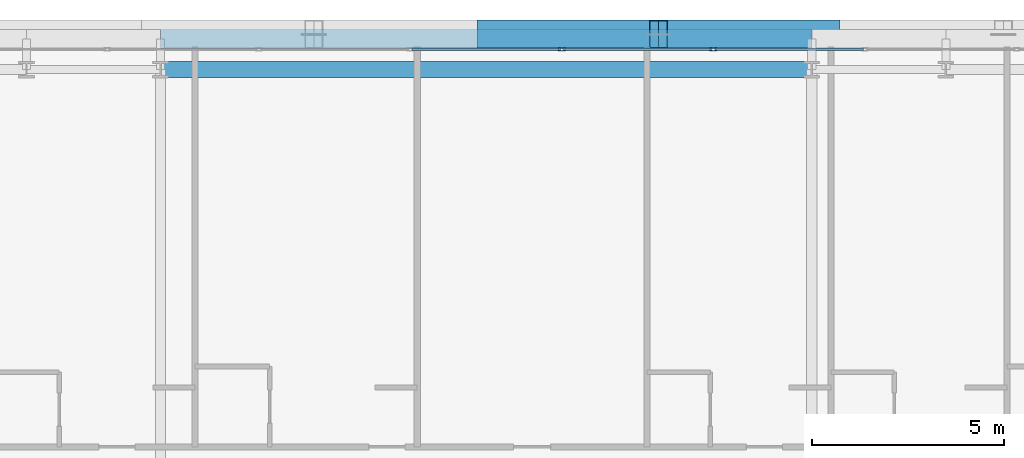
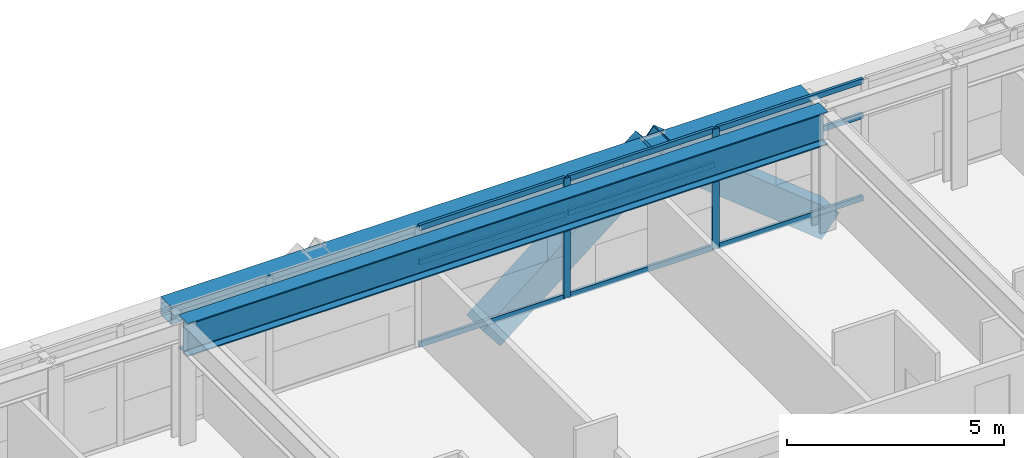
# One storey, part 19 of 36: 13 members, 2 beams, 1 element without a shape of its own.
"""IFC4 building model written with IfcOpenShell, lengths in metres."""

import ifcopenshell
import ifcopenshell.guid

model = None  # the IFC model being written
_history = None  # IfcOwnerHistory: only IFC2X3 demands one
_inside = {}  # id of a spatial element -> (the spatial element, [elements in it])
_under = {}  # id of a project, library or spatial element -> (it, [spatial elements below it])
_declared = {}  # id of a project -> (the project, [libraries it declares])
_typed = {}  # id of a type object -> (the type object, [elements of that type])
_made_of = {}  # id of a material, layer set ... -> (it, [elements and type objects made of it])


def new_model(schema):
    """Start an empty IFC model of exactly this schema.

    Asked for "IFC4X3", IfcOpenShell would pick the latest addendum, in which some entities
    have other attributes; the version numbers below select the first issue.
    IFC2X3 requires an IfcOwnerHistory on every rooted entity: one is made here for all.
    """
    global model, _history
    if schema == "IFC4X3":
        model = ifcopenshell.file(schema_version=(4, 3, 0, 0))
    else:
        model = ifcopenshell.file(schema=schema)
    _inside.clear()
    _under.clear()
    _declared.clear()
    _typed.clear()
    _made_of.clear()
    _history = None
    if model.schema == "IFC2X3":
        org = make("IfcOrganization", Name="unknown")
        user = make(
            "IfcPersonAndOrganization",
            ThePerson=make("IfcPerson", FamilyName="unknown"),
            TheOrganization=org,
        )
        app = make(
            "IfcApplication",
            ApplicationDeveloper=org,
            Version="unknown",
            ApplicationFullName="unknown",
            ApplicationIdentifier="unknown",
        )
        _history = make(
            "IfcOwnerHistory",
            OwningUser=user,
            OwningApplication=app,
            ChangeAction="ADDED",
            CreationDate=0,
        )
    return model


def make(cls, **values):
    """One entity of the class cls with the attributes given. An attribute that is None is left unset."""
    return model.create_entity(
        cls, **{name: value for name, value in values.items() if value is not None}
    )


def rooted(cls, **values):
    """An entity with a GlobalId (a new one), such as an element, a storey or a relation."""
    return make(cls, GlobalId=ifcopenshell.guid.new(), OwnerHistory=_history, **values)


def si_unit(unit_type, name, prefix=None):
    """IfcSIUnit, for example si_unit("LENGTHUNIT", "METRE", prefix="MILLI")."""
    return make("IfcSIUnit", UnitType=unit_type, Prefix=prefix, Name=name)


def assignment(units):
    """IfcUnitAssignment: the units of a project."""
    return None if units is None else make("IfcUnitAssignment", Units=units)


def point(xyz):
    """IfcCartesianPoint."""
    return None if xyz is None else make("IfcCartesianPoint", Coordinates=xyz)


def direction(xyz):
    """IfcDirection."""
    return None if xyz is None else make("IfcDirection", DirectionRatios=xyz)


def frame(location, z_axis=None, x_axis=None):
    """IfcAxis2Placement3D, a coordinate frame: its origin and axes. An axis left out is left unset."""
    return make(
        "IfcAxis2Placement3D",
        Location=point(location),
        Axis=direction(z_axis),
        RefDirection=direction(x_axis),
    )


def frame_2d(location, x_axis=None):
    """IfcAxis2Placement2D, a coordinate frame in the plane: its origin and x axis."""
    return make(
        "IfcAxis2Placement2D", Location=point(location), RefDirection=direction(x_axis)
    )


def origin():
    """The frame at (0, 0, 0) with its axes left unset."""
    return frame((0.0, 0.0, 0.0))


def origin_2d():
    """The frame at (0, 0) in the plane with its x axis left unset."""
    return frame_2d((0.0, 0.0))


def place(relative_to, where):
    """IfcLocalPlacement: puts the frame where relative to a parent placement (None: the world)."""
    return make(
        "IfcLocalPlacement", PlacementRelTo=relative_to, RelativePlacement=where
    )


def context(
    kind, dimensions, precision=None, world=None, true_north=None, identifier=None
):
    """IfcGeometricRepresentationContext, for example the 3D "Model" context."""
    return make(
        "IfcGeometricRepresentationContext",
        ContextIdentifier=identifier,
        ContextType=kind,
        CoordinateSpaceDimension=dimensions,
        Precision=precision,
        WorldCoordinateSystem=world,
        TrueNorth=true_north,
    )


def subcontext(parent, identifier, kind, view, scale=None):
    """IfcGeometricRepresentationSubContext, for example "Body" below "Model"."""
    return make(
        "IfcGeometricRepresentationSubContext",
        ContextIdentifier=identifier,
        ContextType=kind,
        ParentContext=parent,
        TargetScale=scale,
        TargetView=view,
    )


def project(units=None, contexts=None):
    """IfcProject with its units and contexts."""
    return rooted(
        "IfcProject",
        Name="project",
        RepresentationContexts=contexts,
        UnitsInContext=assignment(units),
    )


def spatial(cls, under=None, at=None, **own):
    """A site, building, storey or space (cls), placed at a placement, below another one or the project."""
    s = rooted(cls, ObjectPlacement=at, **own)
    if under is not None:
        _under.setdefault(under.id(), (under, []))[1].append(s)
    return s


def profile(cls, at=None, kind="AREA", **sizes):
    """A parametric profile (cls). Its sizes go by their IFC names, for example OverallWidth=200.0."""
    return make(cls, ProfileType=kind, Position=at, **sizes)


def hollow_rectangle(**sizes):
    """IfcRectangleHollowProfileDef."""
    return profile("IfcRectangleHollowProfileDef", **sizes)


def i_section(**sizes):
    """IfcIShapeProfileDef."""
    return profile("IfcIShapeProfileDef", **sizes)


def extrude(swept, where, along, depth):
    """IfcExtrudedAreaSolid: the profile swept, set in the frame where, extruded along a direction by depth."""
    return make(
        "IfcExtrudedAreaSolid",
        SweptArea=swept,
        Position=where,
        ExtrudedDirection=direction(along),
        Depth=depth,
    )


def shape(context_of_items, identifier, shape_type, items):
    """IfcShapeRepresentation: the items that make up one representation, for example the "Body"."""
    return make(
        "IfcShapeRepresentation",
        ContextOfItems=context_of_items,
        RepresentationIdentifier=identifier,
        RepresentationType=shape_type,
        Items=items,
    )


def source(mapping_origin, context_of_items, identifier, shape_type, items):
    """IfcRepresentationMap: a shape defined once, which mapped items show again and again."""
    return make(
        "IfcRepresentationMap",
        MappingOrigin=mapping_origin,
        MappedRepresentation=shape(context_of_items, identifier, shape_type, items),
    )


def transform(
    local_origin,
    x_axis=None,
    y_axis=None,
    z_axis=None,
    scale=None,
    scale2=None,
    scale3=None,
    uniform=True,
):
    """IfcCartesianTransformationOperator3D, or its non-uniform kind. x_axis, y_axis, z_axis: its Axis1, 2, 3."""
    if uniform:
        return make(
            "IfcCartesianTransformationOperator3D",
            Axis1=direction(x_axis),
            Axis2=direction(y_axis),
            LocalOrigin=point(local_origin),
            Scale=scale,
            Axis3=direction(z_axis),
        )
    return make(
        "IfcCartesianTransformationOperator3DnonUniform",
        Axis1=direction(x_axis),
        Axis2=direction(y_axis),
        LocalOrigin=point(local_origin),
        Scale=scale,
        Axis3=direction(z_axis),
        Scale2=scale2,
        Scale3=scale3,
    )


def mapped(mapping_source, mapping_target):
    """IfcMappedItem: shows the shape of a source again, moved by a transform."""
    return make(
        "IfcMappedItem", MappingSource=mapping_source, MappingTarget=mapping_target
    )


def material(Name=None, Category=None):
    """IfcMaterial."""
    return make("IfcMaterial", Name=Name, Category=Category)


def layer(
    of_material, thickness, ventilated=None, Name=None, Category=None, Priority=None
):
    """IfcMaterialLayer: one layer of a wall or slab, of a material (None: an air gap)."""
    return make(
        "IfcMaterialLayer",
        Material=of_material,
        LayerThickness=thickness,
        IsVentilated=ventilated,
        Name=Name,
        Category=Category,
        Priority=Priority,
    )


def layer_set(layers, Name=None):
    """IfcMaterialLayerSet."""
    return make("IfcMaterialLayerSet", MaterialLayers=layers, LayerSetName=Name)


def material_profile(
    of_material, cross_section, Name=None, Category=None, Priority=None
):
    """IfcMaterialProfile: a cross section and its material."""
    return make(
        "IfcMaterialProfile",
        Name=Name,
        Material=of_material,
        Profile=cross_section,
        Priority=Priority,
        Category=Category,
    )


def profile_set(profiles, Name=None, composite=None):
    """IfcMaterialProfileSet."""
    return make(
        "IfcMaterialProfileSet",
        Name=Name,
        MaterialProfiles=profiles,
        CompositeProfile=composite,
    )


def made_of(thing, what):
    """Note that an element or type object is made of a material, layer set ...; save() writes the relation."""
    if what is not None:
        _made_of.setdefault(what.id(), (what, []))[1].append(thing)
    return thing


def type_object(cls, material=None, **own):
    """A type object (cls), such as IfcWallType, which elements share."""
    return made_of(rooted(cls, **own), material)


def element(
    cls,
    number,
    at=None,
    inside=None,
    cuts=None,
    type_object=None,
    material=None,
    context=None,
    identifier="Body",
    shape_type=None,
    held_by="IfcProductDefinitionShape",
    body=None,
    shapes=None,
    **own,
):
    """One element of the class cls, such as IfcWall. Its Tag is "e" and its number.

    at: its placement. inside: the storey or other place that contains it. cuts: it is an
    opening in that element (IfcRelVoidsElement). A single representation is given by context,
    identifier, shape_type and body (its items); several are given by shapes. held_by: the class
    of the entity that holds the representations. save() writes the other relations.
    """
    e = rooted(cls, Tag="e%d" % number, ObjectPlacement=at, **own)
    if body is not None:
        shapes = [shape(context, identifier, shape_type, body)]
    if shapes is not None:
        e.Representation = make(held_by, Representations=shapes)
    if inside is not None:
        _inside.setdefault(inside.id(), (inside, []))[1].append(e)
    if cuts is not None:
        rooted(
            "IfcRelVoidsElement", RelatingBuildingElement=cuts, RelatedOpeningElement=e
        )
    if type_object is not None:
        _typed.setdefault(type_object.id(), (type_object, []))[1].append(e)
    return made_of(e, material)


def aggregate(whole, parts):
    """IfcRelAggregates: a whole, such as a stair, and the parts it consists of."""
    return rooted("IfcRelAggregates", RelatingObject=whole, RelatedObjects=parts)


def save(model, path):
    """Write the relations noted so far, then the file.

    IfcRelAggregates (storeys below a building ...), IfcRelContainedInSpatialStructure (elements
    in a storey), IfcRelDefinesByType, IfcRelAssociatesMaterial and IfcRelDeclares: one each for
    every whole, place, type object, material and project.
    """
    for whole, parts in _under.values():
        aggregate(whole, parts)
    for where, things in _inside.values():
        rooted(
            "IfcRelContainedInSpatialStructure",
            RelatedElements=things,
            RelatingStructure=where,
        )
    for kind, things in _typed.values():
        rooted("IfcRelDefinesByType", RelatedObjects=things, RelatingType=kind)
    for what, things in _made_of.values():
        rooted("IfcRelAssociatesMaterial", RelatedObjects=things, RelatingMaterial=what)
    for by, libraries in _declared.values():
        rooted("IfcRelDeclares", RelatingContext=by, RelatedDefinitions=libraries)
    model.write(path)


model = new_model("IFC4")

# Units and contexts
model_context = context("Model", 3, precision=1e-05, world=origin(), true_north=direction((0.0, 1.0)))
body_context = subcontext(model_context, "Body", "Model", "MODEL_VIEW")
ifc_project = project(units=[si_unit("LENGTHUNIT", "METRE"), si_unit("AREAUNIT", "SQUARE_METRE"), si_unit("VOLUMEUNIT", "CUBIC_METRE"), si_unit("PLANEANGLEUNIT", "RADIAN"), si_unit("MASSUNIT", "GRAM", prefix="KILO")], contexts=[model_context])

# Site, building, storey
site_placement = place(None, origin())
site = spatial("IfcSite", under=ifc_project, at=site_placement, CompositionType="ELEMENT")
building_placement = place(site_placement, origin())
building = spatial("IfcBuilding", under=site, at=building_placement, Name="Ocotamira Hotel", CompositionType="ELEMENT")
storey_placement = place(building_placement, frame((0.0, 0.0, 97.199951171875)))
storey = spatial("IfcBuildingStorey", under=building, at=storey_placement, Name="L23", CompositionType="ELEMENT", Elevation=97.199951171875)

# Beams
ifc_material_1 = material(Name="Steel ASTM A992 Grade 50", Category="steel")
ifc_material_profile_1 = material_profile(ifc_material_1, i_section(OverallWidth=0.41796875, OverallDepth=0.927001953125, WebThickness=0.019287109375, FlangeThickness=0.031982421875, FilletRadius=0.02392578125, at=origin_2d()), Name="W36X231")
ifc_profile_set_1 = profile_set([ifc_material_profile_1], Name="Steel ASTM A992 Grade 50")
beam_type_1 = type_object("IfcBeamType", Name="BM-GIRD-W36X231", PredefinedType="BEAM", material=ifc_profile_set_1)
shared_shape_1 = source(origin(), body_context, "Body", "SweptSolid", [
    extrude(i_section(OverallWidth=0.41796875, OverallDepth=0.927001953125, WebThickness=0.019287109375, FlangeThickness=0.031982421875, FilletRadius=0.02392578125, at=origin_2d()), origin(), (0.0, 0.0, 1.0), 17.0),
])
beam_1_placement = place(storey_placement, frame((23.5, 49.050048828125, 2.896484375), z_axis=(1.0, 0.0, 0.0), x_axis=(0.0, 1.0, 0.0)))
element("IfcBeam", 1, at=beam_1_placement, inside=storey, type_object=beam_type_1, Name="L23 Girder Y49.05 X23.5-40.5", PredefinedType="BEAM", context=body_context, shape_type="MappedRepresentation", body=[
    mapped(shared_shape_1, transform((0.0, 0.0, 0.0), scale=1.0)),
])
ifc_material_2 = material(Name="Steel ASTM A500 Grade C", Category="steel")
ifc_material_profile_2 = material_profile(ifc_material_2, hollow_rectangle(XDim=0.5, YDim=0.5, WallThickness=0.02001953125, at=origin_2d()), Name="HSS500X500X20")
ifc_profile_set_2 = profile_set([ifc_material_profile_2], Name="Steel ASTM A500 Grade C")
beam_type_2 = type_object("IfcBeamType", Name="BM-SPAN-HSS500", PredefinedType="USERDEFINED", material=ifc_profile_set_2)
shared_shape_2 = source(origin(), body_context, "Body", "SweptSolid", [
    extrude(hollow_rectangle(XDim=0.5, YDim=0.5, WallThickness=0.02001953125, at=origin_2d()), origin(), (0.0, 0.0, 1.0), 17.0),
])
beam_2_placement = place(storey_placement, frame((23.5, 49.85009765625, 3.110107421875), z_axis=(1.0, 0.0, 0.0), x_axis=(0.0, 1.0, 0.0)))
element("IfcBeam", 2, at=beam_2_placement, inside=storey, type_object=beam_type_2, Name="L23 Edge Spandrel N X23.5-40.5", ObjectType="SPANDREL", PredefinedType="USERDEFINED", context=body_context, shape_type="MappedRepresentation", body=[
    mapped(shared_shape_2, transform((0.0, 0.0, 0.0), scale=1.0)),
])

# Members
ifc_material_3 = material(Name="Pale-metal coated steel ASTM A913 Grade 65", Category="steel")
ifc_material_profile_3 = material_profile(ifc_material_3, hollow_rectangle(XDim=0.75, YDim=0.75, WallThickness=0.028076171875, at=origin_2d()), Name="BOX750X750X28")
ifc_profile_set_3 = profile_set([ifc_material_profile_3], Name="Pale-metal coated steel ASTM A913 Grade 65")
member_type_1 = type_object("IfcMemberType", Name="MEM-EXO-BOX750", PredefinedType="BRACE", material=ifc_profile_set_3)
shared_shape_3 = source(origin(), body_context, "Body", "SweptSolid", [
    extrude(hollow_rectangle(XDim=0.75, YDim=0.75, WallThickness=0.028076171875, at=origin_2d()), origin(), (0.0, 0.0, 1.0), 5.762939453125),
])
for number, where, z_axis, x_axis, name in (
    (3, (32.0, 49.969970703125, -0.489990234375), (0.780860543151, 0.0, 0.624705380279), (0.0, 1.0, 0.0), "L23 Exoskeleton Diagrid N2.1"),
    (4, (41.0, 49.969970703125, -0.489990234375), (-0.780860543151, 0.0, 0.624705380279), (0.0, -1.0, 0.0), "L23 Exoskeleton Diagrid N2.2"),
):
    element("IfcMember", number, at=place(storey_placement, frame(where, z_axis=z_axis, x_axis=x_axis)), inside=storey, type_object=member_type_1, Name=name, PredefinedType="BRACE", context=body_context, shape_type="MappedRepresentation", body=[
        mapped(shared_shape_3, transform((0.0, 0.0, 0.0), scale=1.0)),
    ])

# Curtain wall, members
ifc_material_4 = material(Name="Anodised pale-metal aluminium and solar glass", Category="aluminium")
ifc_layer = layer(ifc_material_4, 0.179931640625)
ifc_layer_set = layer_set([ifc_layer], Name="Anodised pale-metal aluminium and solar glass")
curtain_wall_type = type_object("IfcCurtainWallType", Name="CW-SYS3-Z2", PredefinedType="NOTDEFINED", material=ifc_layer_set)
curtain_wall_placement = place(storey_placement, origin())
curtain_wall = element("IfcCurtainWall", 5, at=curtain_wall_placement, inside=storey, type_object=curtain_wall_type, Name="L23 Curtain Wall CW-3 CW-L23-N", PredefinedType="NOTDEFINED")
ifc_material_5 = material(Name="Anodised pale-metal aluminium 6063-T6", Category="aluminium")
ifc_material_profile_4 = material_profile(ifc_material_5, hollow_rectangle(XDim=0.074951171875, YDim=0.14990234375, WallThickness=0.006103515625, at=origin_2d()), Name="HSS150X75X6")
ifc_profile_set_4 = profile_set([ifc_material_profile_4], Name="Anodised pale-metal aluminium 6063-T6")
member_type_2 = type_object("IfcMemberType", Name="CWT-150X75", PredefinedType="USERDEFINED", material=ifc_profile_set_4)
shared_shape_4 = source(origin(), body_context, "Body", "SweptSolid", [
    extrude(hollow_rectangle(XDim=0.074951171875, YDim=0.14990234375, WallThickness=0.006103515625, at=origin_2d()), origin(), (0.0, 0.0, 1.0), 3.87548828125),
])
member_1_placement = place(storey_placement, frame((30.062255859375, 49.580078125, 0.03759765625), z_axis=(1.0, 0.0, 0.0), x_axis=(0.0, 1.0, 0.0)))
member_1 = element("IfcMember", 6, at=member_1_placement, type_object=member_type_2, Name="CW-3 transom 5.1", ObjectType="TRANSOM", PredefinedType="USERDEFINED", context=body_context, shape_type="MappedRepresentation", body=[
    mapped(shared_shape_4, transform((0.0, 0.0, 0.0), scale=1.0)),
])
member_2_placement = place(storey_placement, frame((30.062255859375, 49.580078125, 2.35009765625), z_axis=(1.0, 0.0, 0.0), x_axis=(0.0, 1.0, 0.0)))
member_2 = element("IfcMember", 7, at=member_2_placement, type_object=member_type_2, Name="CW-3 transom 5.2", ObjectType="TRANSOM", PredefinedType="USERDEFINED", context=body_context, shape_type="MappedRepresentation", body=[
    mapped(shared_shape_4, transform((0.0, 0.0, 0.0), scale=1.0)),
])
member_3_placement = place(storey_placement, frame((30.062255859375, 49.580078125, 3.322509765625), z_axis=(1.0, 0.0, 0.0), x_axis=(0.0, 1.0, 0.0)))
member_3 = element("IfcMember", 8, at=member_3_placement, type_object=member_type_2, Name="CW-3 transom 5.3", ObjectType="TRANSOM", PredefinedType="USERDEFINED", context=body_context, shape_type="MappedRepresentation", body=[
    mapped(shared_shape_4, transform((0.0, 0.0, 0.0), scale=1.0)),
])
member_4_placement = place(storey_placement, frame((34.017822265625, 49.580078125, 0.03759765625), z_axis=(1.0, 0.0, 0.0), x_axis=(0.0, 1.0, 0.0)))
member_4 = element("IfcMember", 9, at=member_4_placement, type_object=member_type_2, Name="CW-3 transom 6.1", ObjectType="TRANSOM", PredefinedType="USERDEFINED", context=body_context, shape_type="MappedRepresentation", body=[
    mapped(shared_shape_4, transform((0.0, 0.0, 0.0), scale=1.0)),
])
member_5_placement = place(storey_placement, frame((34.017822265625, 49.580078125, 2.35009765625), z_axis=(1.0, 0.0, 0.0), x_axis=(0.0, 1.0, 0.0)))
member_5 = element("IfcMember", 10, at=member_5_placement, type_object=member_type_2, Name="CW-3 transom 6.2", ObjectType="TRANSOM", PredefinedType="USERDEFINED", context=body_context, shape_type="MappedRepresentation", body=[
    mapped(shared_shape_4, transform((0.0, 0.0, 0.0), scale=1.0)),
])
member_6_placement = place(storey_placement, frame((34.017822265625, 49.580078125, 3.322509765625), z_axis=(1.0, 0.0, 0.0), x_axis=(0.0, 1.0, 0.0)))
member_6 = element("IfcMember", 11, at=member_6_placement, type_object=member_type_2, Name="CW-3 transom 6.3", ObjectType="TRANSOM", PredefinedType="USERDEFINED", context=body_context, shape_type="MappedRepresentation", body=[
    mapped(shared_shape_4, transform((0.0, 0.0, 0.0), scale=1.0)),
])
member_7_placement = place(storey_placement, frame((37.973388671875, 49.580078125, 0.03759765625), z_axis=(1.0, 0.0, 0.0), x_axis=(0.0, 1.0, 0.0)))
member_7 = element("IfcMember", 12, at=member_7_placement, type_object=member_type_2, Name="CW-3 transom 7.1", ObjectType="TRANSOM", PredefinedType="USERDEFINED", context=body_context, shape_type="MappedRepresentation", body=[
    mapped(shared_shape_4, transform((0.0, 0.0, 0.0), scale=1.0)),
])
member_8_placement = place(storey_placement, frame((37.973388671875, 49.580078125, 2.35009765625), z_axis=(1.0, 0.0, 0.0), x_axis=(0.0, 1.0, 0.0)))
member_8 = element("IfcMember", 13, at=member_8_placement, type_object=member_type_2, Name="CW-3 transom 7.2", ObjectType="TRANSOM", PredefinedType="USERDEFINED", context=body_context, shape_type="MappedRepresentation", body=[
    mapped(shared_shape_4, transform((0.0, 0.0, 0.0), scale=1.0)),
])
member_9_placement = place(storey_placement, frame((37.973388671875, 49.580078125, 3.322509765625), z_axis=(1.0, 0.0, 0.0), x_axis=(0.0, 1.0, 0.0)))
member_9 = element("IfcMember", 14, at=member_9_placement, type_object=member_type_2, Name="CW-3 transom 7.3", ObjectType="TRANSOM", PredefinedType="USERDEFINED", context=body_context, shape_type="MappedRepresentation", body=[
    mapped(shared_shape_4, transform((0.0, 0.0, 0.0), scale=1.0)),
])
ifc_material_profile_5 = material_profile(ifc_material_5, hollow_rectangle(XDim=0.080078125, YDim=0.179931640625, WallThickness=0.006103515625, at=origin_2d()), Name="HSS180X80X6")
ifc_profile_set_5 = profile_set([ifc_material_profile_5], Name="Anodised pale-metal aluminium 6063-T6")
member_type_3 = type_object("IfcMemberType", Name="CWM-180X75", PredefinedType="MULLION", material=ifc_profile_set_5)
shared_shape_5 = source(origin(), body_context, "Body", "SweptSolid", [
    extrude(hollow_rectangle(XDim=0.080078125, YDim=0.179931640625, WallThickness=0.006103515625, at=origin_2d()), origin(), (0.0, 0.0, 1.0), 3.360107421875),
])
member_10_placement = place(storey_placement, frame((33.977783203125, 49.580078125, 0.0), z_axis=(0.0, 0.0, 1.0), x_axis=(0.0, 1.0, 0.0)))
member_10 = element("IfcMember", 15, at=member_10_placement, type_object=member_type_3, Name="CW-3 mullion 6", PredefinedType="MULLION", context=body_context, shape_type="MappedRepresentation", body=[
    mapped(shared_shape_5, transform((0.0, 0.0, 0.0), scale=1.0)),
])
member_11_placement = place(storey_placement, frame((37.933349609375, 49.580078125, 0.0), z_axis=(0.0, 0.0, 1.0), x_axis=(0.0, 1.0, 0.0)))
member_11 = element("IfcMember", 16, at=member_11_placement, type_object=member_type_3, Name="CW-3 mullion 7", PredefinedType="MULLION", context=body_context, shape_type="MappedRepresentation", body=[
    mapped(shared_shape_5, transform((0.0, 0.0, 0.0), scale=1.0)),
])
aggregate(curtain_wall, [member_10, member_11, member_1, member_2, member_3, member_4, member_5, member_6, member_7, member_8, member_9])

save(model, "model.ifc")
